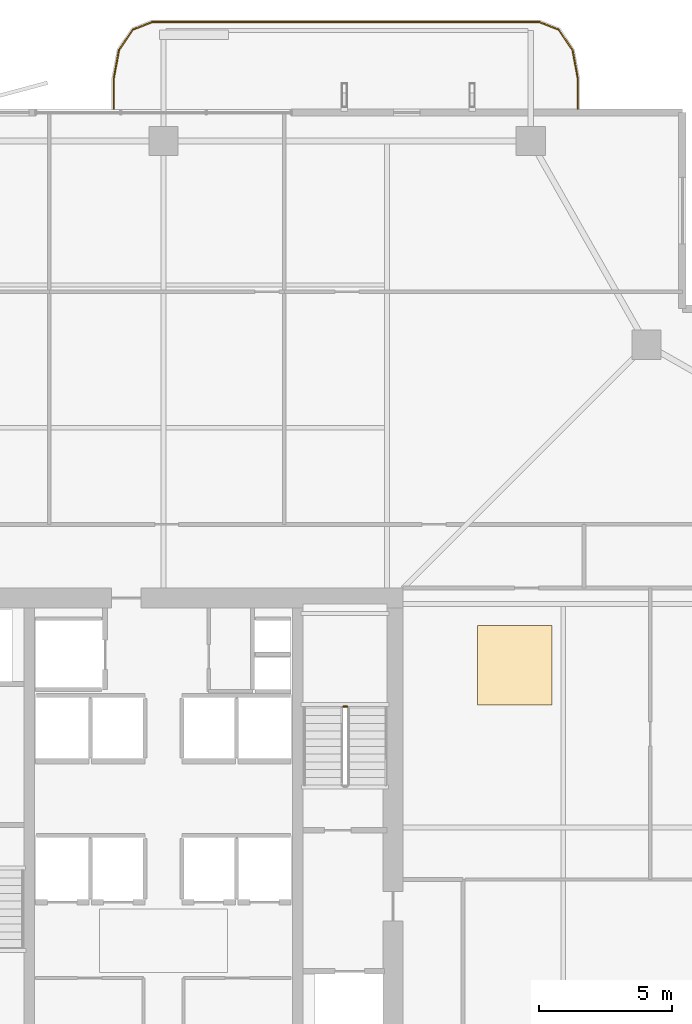
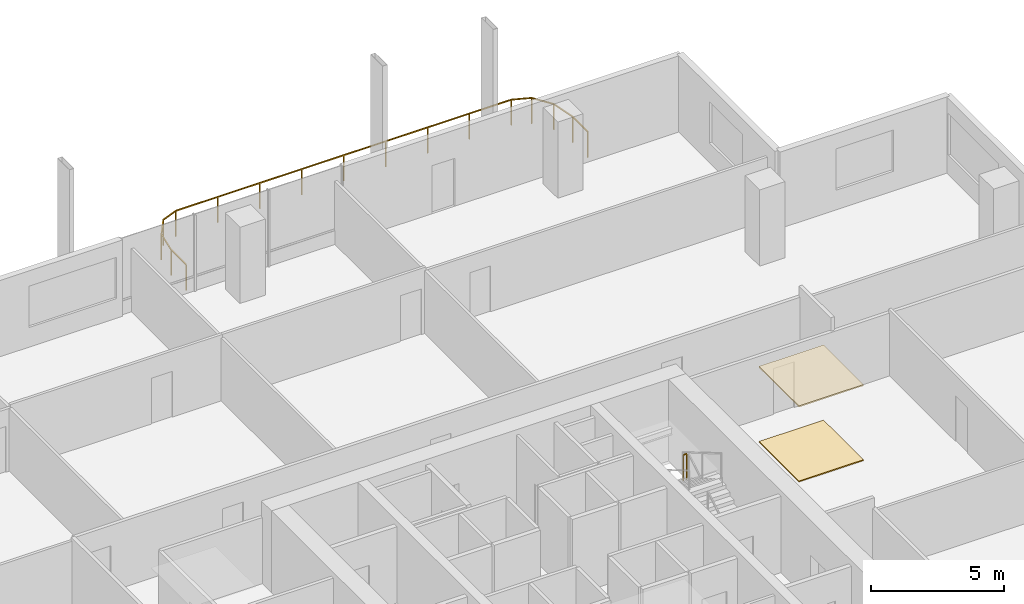
# One storey, part 24 of 24: 2 coverings, 2 railings.
"""IFC4 building model written with IfcOpenShell, lengths in metres."""

from ifc_helpers import new_model, si_unit, direction, frame, origin, origin_2d, place, context, subcontext, project, spatial, polyline, rectangle, outline, extrude, material, layer, layer_set, type_object, element, save


model = new_model("IFC4")

# Units and contexts
model_context = context("Model", 3, precision=1e-05, world=origin(), true_north=direction((0.0, 1.0)))
body_context = subcontext(model_context, "Body", "Model", "MODEL_VIEW")
ifc_project = project(units=[si_unit("LENGTHUNIT", "METRE"), si_unit("AREAUNIT", "SQUARE_METRE"), si_unit("VOLUMEUNIT", "CUBIC_METRE"), si_unit("PLANEANGLEUNIT", "RADIAN"), si_unit("MASSUNIT", "GRAM", prefix="KILO")], contexts=[model_context])

# Site, building, storey
site_placement = place(None, origin())
site = spatial("IfcSite", under=ifc_project, at=site_placement, CompositionType="ELEMENT")
building_placement = place(site_placement, origin())
building = spatial("IfcBuilding", under=site, at=building_placement, Name="Belovzor Exchange Tower", CompositionType="ELEMENT")
storey_placement = place(building_placement, frame((0.0, 0.0, 218.699951171875)))
storey = spatial("IfcBuildingStorey", under=building, at=storey_placement, Name="L54", CompositionType="ELEMENT", Elevation=218.699951171875)

# Railings
ifc_material_1 = material(Name="Stainless Steel and Laminated Safety Glass", Category="steel")
railing_type_1 = type_object("IfcRailingType", Name="Laminated Glass & Stainless Steel Balcony Balustrade 1200", PredefinedType="BALUSTRADE", material=ifc_material_1)
railing_1_placement = place(storey_placement, frame((44.3701171875, 55.81005859375, 0.0)))
element("IfcRailing", 1, at=railing_1_placement, inside=storey, type_object=railing_type_1, Name="GR-1 Balcony Balustrade L54 North", PredefinedType="BALUSTRADE", context=body_context, shape_type="SweptSolid", body=[
    extrude(rectangle(XDim=0.048095703125, YDim=0.048095703125, at=origin_2d()), frame((0.0, 0.0, 1.17578125), z_axis=(0.0, 1.0, 0.0), x_axis=(-1.0, 0.0, 0.0)), (0.0, 0.0, 1.0), 1.133056640625),
    extrude(rectangle(XDim=0.048095703125, YDim=0.048095703125, at=origin_2d()), frame((0.0, 1.133056640625, 1.17578125), z_axis=(-0.180122719713, 0.983644145941, 0.0), x_axis=(-0.983644145941, -0.180122719713, 0.0)), (0.0, 0.0, 1.0), 1.09375),
    extrude(rectangle(XDim=0.048095703125, YDim=0.048095703125, at=origin_2d()), frame((-0.197021484375, 2.208984375, 1.17578125), z_axis=(-0.56294695933, 0.826493025367, 0.0), x_axis=(-0.826493025367, -0.56294695933, 0.0)), (0.0, 0.0, 1.0), 0.932861328125),
    extrude(rectangle(XDim=0.048095703125, YDim=0.048095703125, at=origin_2d()), frame((-0.72216796875, 2.97998046875, 1.17578125), z_axis=(-0.930766990125, 0.365612923861, 0.0), x_axis=(-0.365612923861, -0.930766990125, 0.0)), (0.0, 0.0, 1.0), 0.765869140625),
    extrude(rectangle(XDim=0.048095703125, YDim=0.048095703125, at=origin_2d()), frame((-1.43505859375, 3.260009765625, 1.17578125), z_axis=(-1.0, 0.0, 0.0), x_axis=(0.0, -1.0, 0.0)), (0.0, 0.0, 1.0), 14.570068359375),
    extrude(rectangle(XDim=0.048095703125, YDim=0.048095703125, at=origin_2d()), frame((-16.005126953125, 3.260009765625, 1.17578125), z_axis=(-0.930766990125, -0.365612923861, 0.0), x_axis=(0.365612923861, -0.930766990125, 0.0)), (0.0, 0.0, 1.0), 0.765869140625),
    extrude(rectangle(XDim=0.048095703125, YDim=0.048095703125, at=origin_2d()), frame((-16.718017578125, 2.97998046875, 1.17578125), z_axis=(-0.56294695933, -0.826493025367, 0.0), x_axis=(0.826493025367, -0.56294695933, 0.0)), (0.0, 0.0, 1.0), 0.932861328125),
    extrude(rectangle(XDim=0.048095703125, YDim=0.048095703125, at=origin_2d()), frame((-17.2431640625, 2.208984375, 1.17578125), z_axis=(-0.180122719713, -0.983644145941, 0.0), x_axis=(0.983644145941, -0.180122719713, 0.0)), (0.0, 0.0, 1.0), 1.09375),
    extrude(rectangle(XDim=0.048095703125, YDim=0.048095703125, at=origin_2d()), frame((-17.440185546875, 1.133056640625, 1.17578125), z_axis=(0.0, -1.0, 0.0), x_axis=(1.0, 0.0, 0.0)), (0.0, 0.0, 1.0), 1.133056640625),
    extrude(rectangle(XDim=0.0419921875, YDim=0.0419921875, at=origin_2d()), origin(), (0.0, 0.0, 1.0), 1.15185546875),
    extrude(rectangle(XDim=0.0419921875, YDim=0.0419921875, at=origin_2d()), frame((0.0, 1.133056640625, 0.0)), (0.0, 0.0, 1.0), 1.15185546875),
    extrude(rectangle(XDim=0.0419921875, YDim=0.0419921875, at=origin_2d()), frame((-0.197021484375, 2.208984375, 0.0)), (0.0, 0.0, 1.0), 1.15185546875),
    extrude(rectangle(XDim=0.0419921875, YDim=0.0419921875, at=origin_2d()), frame((-0.72216796875, 2.97998046875, 0.0)), (0.0, 0.0, 1.0), 1.15185546875),
    extrude(rectangle(XDim=0.0419921875, YDim=0.0419921875, at=origin_2d()), frame((-1.43505859375, 3.260009765625, 0.0)), (0.0, 0.0, 1.0), 1.15185546875),
    extrude(rectangle(XDim=0.0419921875, YDim=0.0419921875, at=origin_2d()), frame((-3.25634765625, 3.260009765625, 0.0)), (0.0, 0.0, 1.0), 1.15185546875),
    extrude(rectangle(XDim=0.0419921875, YDim=0.0419921875, at=origin_2d()), frame((-5.07763671875, 3.260009765625, 0.0)), (0.0, 0.0, 1.0), 1.15185546875),
    extrude(rectangle(XDim=0.0419921875, YDim=0.0419921875, at=origin_2d()), frame((-6.89892578125, 3.260009765625, 0.0)), (0.0, 0.0, 1.0), 1.15185546875),
    extrude(rectangle(XDim=0.0419921875, YDim=0.0419921875, at=origin_2d()), frame((-8.72021484375, 3.260009765625, 0.0)), (0.0, 0.0, 1.0), 1.15185546875),
    extrude(rectangle(XDim=0.0419921875, YDim=0.0419921875, at=origin_2d()), frame((-10.541259765625, 3.260009765625, 0.0)), (0.0, 0.0, 1.0), 1.15185546875),
    extrude(rectangle(XDim=0.0419921875, YDim=0.0419921875, at=origin_2d()), frame((-12.362548828125, 3.260009765625, 0.0)), (0.0, 0.0, 1.0), 1.15185546875),
    extrude(rectangle(XDim=0.0419921875, YDim=0.0419921875, at=origin_2d()), frame((-14.183837890625, 3.260009765625, 0.0)), (0.0, 0.0, 1.0), 1.15185546875),
    extrude(rectangle(XDim=0.0419921875, YDim=0.0419921875, at=origin_2d()), frame((-16.005126953125, 3.260009765625, 0.0)), (0.0, 0.0, 1.0), 1.15185546875),
    extrude(rectangle(XDim=0.0419921875, YDim=0.0419921875, at=origin_2d()), frame((-16.718017578125, 2.97998046875, 0.0)), (0.0, 0.0, 1.0), 1.15185546875),
    extrude(rectangle(XDim=0.0419921875, YDim=0.0419921875, at=origin_2d()), frame((-17.2431640625, 2.208984375, 0.0)), (0.0, 0.0, 1.0), 1.15185546875),
    extrude(rectangle(XDim=0.0419921875, YDim=0.0419921875, at=origin_2d()), frame((-17.440185546875, 1.133056640625, 0.0)), (0.0, 0.0, 1.0), 1.15185546875),
    extrude(rectangle(XDim=0.0419921875, YDim=0.0419921875, at=origin_2d()), frame((-17.440185546875, 0.0, 0.0)), (0.0, 0.0, 1.0), 1.15185546875),
])
ifc_material_2 = material(Name="Steel S355", Category="steel")
railing_type_2 = type_object("IfcRailingType", Name="Painted Steel Stairwell Guardrail 1200", PredefinedType="GUARDRAIL", material=ifc_material_2)
railing_2_placement = place(storey_placement, frame((35.699951171875, 33.35009765625, 1.875)))
element("IfcRailing", 2, at=railing_2_placement, inside=storey, type_object=railing_type_2, Name="L54 ST-2 stair guard 2", PredefinedType="GUARDRAIL", context=body_context, shape_type="SweptSolid", body=[
    extrude(rectangle(XDim=0.048095703125, YDim=0.048095703125, at=origin_2d()), frame((0.0, 0.0, 1.17578125), z_axis=(-1.0, 0.0, 0.0), x_axis=(0.0, -1.0, 0.0)), (0.0, 0.0, 1.0), 0.14990234375),
    extrude(rectangle(XDim=0.0419921875, YDim=0.0419921875, at=origin_2d()), origin(), (0.0, 0.0, 1.0), 1.15185546875),
    extrude(rectangle(XDim=0.0419921875, YDim=0.0419921875, at=origin_2d()), frame((-0.14990234375, 0.0, 0.0)), (0.0, 0.0, 1.0), 1.15185546875),
])

# Coverings
ifc_material_3 = material(Name="Perforated Powder-Coated Aluminium", Category="aluminium")
ifc_layer_1 = layer(ifc_material_3, 0.06005859375)
ifc_layer_set_1 = layer_set([ifc_layer_1], Name="Perforated Powder-Coated Aluminium")
covering_type_1 = type_object("IfcCoveringType", Name="Perforated Acoustic Metal Tile Suspended Ceiling 60", PredefinedType="CEILING", material=ifc_layer_set_1)
covering_1_placement = place(storey_placement, frame((0.0, 0.0, 3.43994140625)))
element("IfcCovering", 3, at=covering_1_placement, inside=storey, type_object=covering_type_1, Name="CLG-AC60 Suspended Ceiling CLG-L54-Z2", PredefinedType="CEILING", context=body_context, shape_type="SweptSolid", body=[
    extrude(outline(polyline([(40.60009765625, 33.39990234375), (43.39990234375, 33.39990234375), (43.39990234375, 36.39990234375), (40.60009765625, 36.39990234375), (40.60009765625, 33.39990234375)])), origin(), (0.0, 0.0, 1.0), 0.06005859375),
])
ifc_material_4 = material(Name="Polished Natural Granite Tile", Category="masonry")
ifc_layer_2 = layer(ifc_material_4, 0.050048828125)
ifc_layer_set_2 = layer_set([ifc_layer_2], Name="Polished Natural Granite Tile")
covering_type_2 = type_object("IfcCoveringType", Name="Polished Karelian Granite & Raised Access Floor Finish 50", PredefinedType="FLOORING", material=ifc_layer_set_2)
covering_2_placement = place(storey_placement, origin())
element("IfcCovering", 4, at=covering_2_placement, inside=storey, type_object=covering_type_2, Name="FLR-GR50 Floor Finish FLR-L54-Z2", PredefinedType="FLOORING", context=body_context, shape_type="SweptSolid", body=[
    extrude(outline(polyline([(40.60009765625, 33.39990234375), (43.39990234375, 33.39990234375), (43.39990234375, 36.39990234375), (40.60009765625, 36.39990234375), (40.60009765625, 33.39990234375)])), origin(), (0.0, 0.0, 1.0), 0.050048828125),
])

save(model, "model.ifc")
